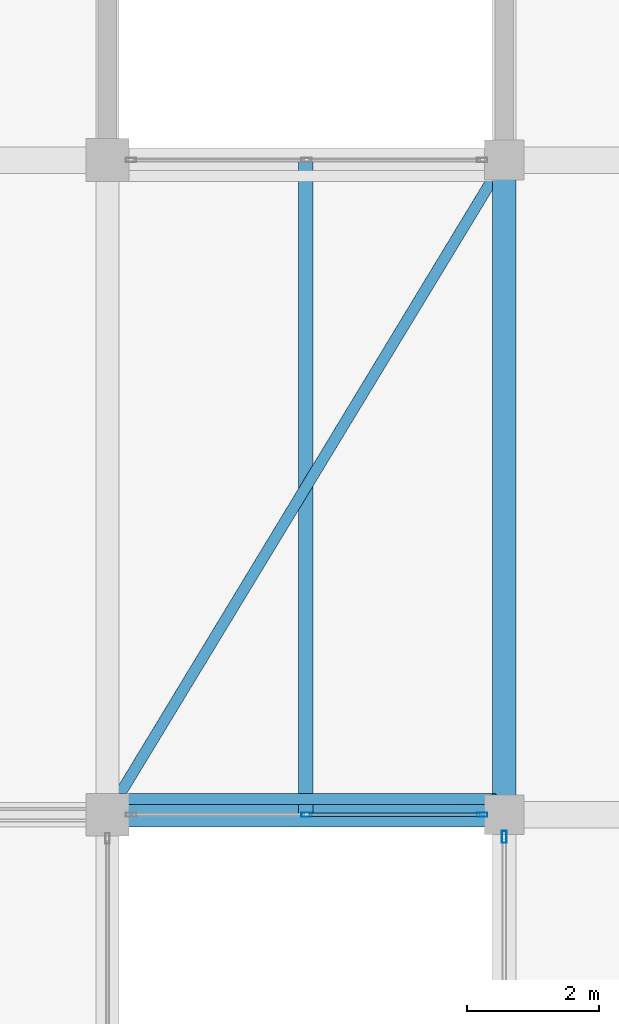
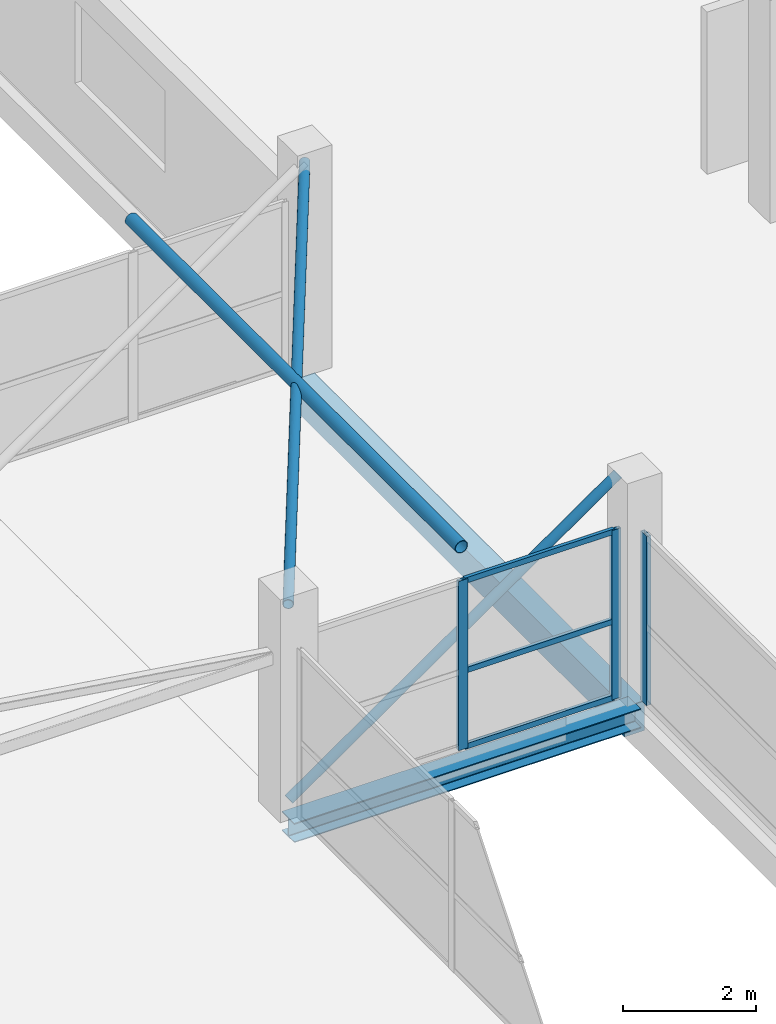
# One storey, part 39 of 66: 9 members, 2 beams, 2 elements without a shape of their own.
"""IFC4 building model written with IfcOpenShell, lengths in metres."""

from ifc_helpers import new_model, si_unit, direction, frame, origin, origin_2d, place, context, subcontext, project, spatial, rectangle, hollow_rectangle, hollow_circle, i_section, extrude, material, layer, layer_set, material_profile, profile_set, type_object, element, aggregate, save


model = new_model("IFC4")

# Units and contexts
model_context = context("Model", 3, precision=1e-05, world=origin(), true_north=direction((0.0, 1.0)))
body_context = subcontext(model_context, "Body", "Model", "MODEL_VIEW")
ifc_project = project(units=[si_unit("LENGTHUNIT", "METRE"), si_unit("AREAUNIT", "SQUARE_METRE"), si_unit("VOLUMEUNIT", "CUBIC_METRE"), si_unit("PLANEANGLEUNIT", "RADIAN"), si_unit("MASSUNIT", "GRAM", prefix="KILO")], contexts=[model_context])

# Site, building, storey
site_placement = place(None, origin())
site = spatial("IfcSite", under=ifc_project, at=site_placement, CompositionType="ELEMENT")
building_placement = place(site_placement, origin())
building = spatial("IfcBuilding", under=site, at=building_placement, Name="Sillaruma Civic Art Gallery", CompositionType="ELEMENT")
storey_placement = place(building_placement, frame((0.0, 0.0, 62.219970703125)))
storey = spatial("IfcBuildingStorey", under=building, at=storey_placement, Name="L12", CompositionType="ELEMENT", Elevation=62.219970703125)

# Beams
ifc_material_1 = material(Name="Structural Steel ASTM A992 Gr.50", Category="steel")
ifc_material_profile_1 = material_profile(ifc_material_1, i_section(OverallWidth=0.368896484375, OverallDepth=0.35595703125, WebThickness=0.01123046875, FlangeThickness=0.01806640625, FilletRadius=0.014892578125, at=origin_2d()), Name="W360x134")
ifc_profile_set_1 = profile_set([ifc_material_profile_1], Name="Structural Steel ASTM A992 Gr.50")
beam_type_1 = type_object("IfcBeamType", Name="BM-BRIDGE-W360x134", PredefinedType="SPANDREL", material=ifc_profile_set_1)
beam_1_placement = place(storey_placement, frame((92.0, 69.300048828125, -0.387939453125), z_axis=(1.0, 0.0, 0.0), x_axis=(0.0, 1.0, 0.0)))
element("IfcBeam", 1, at=beam_1_placement, inside=storey, type_object=beam_type_1, Name="Sky-Bridge Steel Edge Girder (BRG-N:L12:S)", PredefinedType="SPANDREL", context=body_context, shape_type="SweptSolid", body=[
    extrude(i_section(OverallWidth=0.368896484375, OverallDepth=0.35595703125, WebThickness=0.01123046875, FlangeThickness=0.01806640625, FilletRadius=0.014892578125, at=origin_2d()), origin(), (0.0, 0.0, 1.0), 6.0),
])
ifc_material_2 = material(Name="Concrete H35 (35 MPa)", Category="concrete")
ifc_material_profile_2 = material_profile(ifc_material_2, rectangle(XDim=0.35009765625, YDim=0.550048828125, at=origin_2d()), Name="RCB350x550")
ifc_profile_set_2 = profile_set([ifc_material_profile_2], Name="Concrete H35 (35 MPa)")
beam_type_2 = type_object("IfcBeamType", Name="BM-SPANDREL-RCB350x550", PredefinedType="SPANDREL", material=ifc_profile_set_2)
beam_2_placement = place(storey_placement, frame((98.0, 69.300048828125, -0.5048828125), z_axis=(0.0, 1.0, 0.0), x_axis=(-1.0, 0.0, 0.0)))
element("IfcBeam", 2, at=beam_2_placement, inside=storey, type_object=beam_type_2, Name="Beam BS-04 (L11:L:8-9)", PredefinedType="SPANDREL", context=body_context, shape_type="SweptSolid", body=[
    extrude(rectangle(XDim=0.35009765625, YDim=0.550048828125, at=origin_2d()), origin(), (0.0, 0.0, 1.0), 9.89990234375),
])

# Members
ifc_material_3 = material(Name="Structural Steel ASTM A500 Gr.C", Category="steel")
ifc_material_profile_3 = material_profile(ifc_material_3, hollow_circle(Radius=0.084228515625, WallThickness=0.007080078125, at=origin_2d()), Name="CHS168.3x7.1")
ifc_profile_set_3 = profile_set([ifc_material_profile_3], Name="Structural Steel ASTM A500 Gr.C")
member_type_1 = type_object("IfcMemberType", Name="MEM-BRIDGE-BRACE", PredefinedType="BRACE", material=ifc_profile_set_3)
member_1_placement = place(storey_placement, frame((92.14990234375, 69.5400390625, -0.080078125), z_axis=(0.820576982008, 0.0, 0.571536015137), x_axis=(0.0, 1.0, 0.0)))
element("IfcMember", 3, at=member_1_placement, inside=storey, type_object=member_type_1, Name="Sky-Bridge Elevation Truss Web Brace (BRG-N:L12:S)", PredefinedType="BRACE", context=body_context, shape_type="SweptSolid", body=[
    extrude(hollow_circle(Radius=0.084228515625, WallThickness=0.007080078125, at=origin_2d()), origin(), (0.0, 0.0, 1.0), 6.946533203125),
])
member_2_placement = place(storey_placement, frame((92.0, 69.300048828125, 3.692138671875), z_axis=(0.518305455332, 0.855195565337, 0.0), x_axis=(-0.855195565337, 0.518305455332, 0.0)))
element("IfcMember", 4, at=member_2_placement, inside=storey, type_object=member_type_1, Name="Sky-Bridge Diagonal Plan Brace (BRG-N:L13)", PredefinedType="BRACE", context=body_context, shape_type="SweptSolid", body=[
    extrude(hollow_circle(Radius=0.084228515625, WallThickness=0.007080078125, at=origin_2d()), origin(), (0.0, 0.0, 1.0), 11.576171875),
])
ifc_material_profile_4 = material_profile(ifc_material_3, hollow_circle(Radius=0.109619140625, WallThickness=0.00830078125, at=origin_2d()), Name="CHS219.1x8.2")
ifc_profile_set_4 = profile_set([ifc_material_profile_4], Name="Structural Steel ASTM A500 Gr.C")
member_type_2 = type_object("IfcMemberType", Name="MEM-BRIDGE-STRUT", PredefinedType="STRUT", material=ifc_profile_set_4)
member_3_placement = place(storey_placement, frame((95.0, 69.300048828125, 3.692138671875), z_axis=(0.0, 1.0, 0.0), x_axis=(-1.0, 0.0, 0.0)))
element("IfcMember", 5, at=member_3_placement, inside=storey, type_object=member_type_2, Name="Sky-Bridge Transverse Strut (BRG-N:L13)", PredefinedType="STRUT", context=body_context, shape_type="SweptSolid", body=[
    extrude(hollow_circle(Radius=0.109619140625, WallThickness=0.00830078125, at=origin_2d()), origin(), (0.0, 0.0, 1.0), 9.89990234375),
])

# Curtain wall, members
ifc_material_4 = material(Name="Thermally Broken Extruded Aluminium 6063-T6", Category="aluminium")
ifc_layer_1 = layer(ifc_material_4, 0.159912109375, Name="Thermally Broken Extruded Aluminium 6063-T6")
ifc_layer_set_1 = layer_set([ifc_layer_1], Name="Thermally Broken Extruded Aluminium 6063-T6")
curtain_wall_type_1 = type_object("IfcCurtainWallType", Name="CW-UNI-104", PredefinedType="NOTDEFINED", material=ifc_layer_set_1)
curtain_wall_1_placement = place(storey_placement, origin())
curtain_wall_1 = element("IfcCurtainWall", 6, at=curtain_wall_1_placement, inside=storey, type_object=curtain_wall_type_1, Name="Unitised Curtain Wall CW-104 (CW-BRG-N-L12-S)", PredefinedType="NOTDEFINED")
ifc_material_profile_5 = material_profile(ifc_material_4, hollow_rectangle(XDim=0.06494140625, YDim=0.159912109375, WallThickness=0.00390625, at=origin_2d()), Name="CWM65x160")
ifc_profile_set_5 = profile_set([ifc_material_profile_5], Name="Thermally Broken Extruded Aluminium 6063-T6")
member_type_3 = type_object("IfcMemberType", Name="MEM-MUL-CWM65x160", PredefinedType="MULLION", material=ifc_profile_set_5)
member_4_placement = place(storey_placement, frame((95.012451171875, 69.300048828125, 0.0), z_axis=(0.0, 0.0, 1.0), x_axis=(0.0, 1.0, 0.0)))
member_4 = element("IfcMember", 7, at=member_4_placement, type_object=member_type_3, Name="CW-104 mullion 2", PredefinedType="MULLION", context=body_context, shape_type="SweptSolid", body=[
    extrude(hollow_rectangle(XDim=0.06494140625, YDim=0.159912109375, WallThickness=0.00390625, at=origin_2d()), origin(), (0.0, 0.0, 1.0), 3.10009765625),
])
member_5_placement = place(storey_placement, frame((97.66748046875, 69.300048828125, 0.0), z_axis=(0.0, 0.0, 1.0), x_axis=(0.0, 1.0, 0.0)))
member_5 = element("IfcMember", 8, at=member_5_placement, type_object=member_type_3, Name="CW-104 mullion 3", PredefinedType="MULLION", context=body_context, shape_type="SweptSolid", body=[
    extrude(hollow_rectangle(XDim=0.06494140625, YDim=0.159912109375, WallThickness=0.00390625, at=origin_2d()), origin(), (0.0, 0.0, 1.0), 3.10009765625),
])

# Curtain wall, member
ifc_layer_2 = layer(ifc_material_4, 0.179931640625, Name="Thermally Broken Extruded Aluminium 6063-T6")
ifc_layer_set_2 = layer_set([ifc_layer_2], Name="Thermally Broken Extruded Aluminium 6063-T6")
curtain_wall_type_2 = type_object("IfcCurtainWallType", Name="CW-UNI-100", PredefinedType="NOTDEFINED", material=ifc_layer_set_2)
curtain_wall_2_placement = place(storey_placement, origin())
curtain_wall_2 = element("IfcCurtainWall", 9, at=curtain_wall_2_placement, inside=storey, type_object=curtain_wall_type_2, Name="Unitised Curtain Wall CW-100 (CW-L12-EBW-5)", PredefinedType="NOTDEFINED")
ifc_material_profile_6 = material_profile(ifc_material_4, hollow_rectangle(XDim=0.070068359375, YDim=0.179931640625, WallThickness=0.00390625, at=origin_2d()), Name="CWM70x180")
ifc_profile_set_6 = profile_set([ifc_material_profile_6], Name="Thermally Broken Extruded Aluminium 6063-T6")
member_type_4 = type_object("IfcMemberType", Name="MEM-MUL-CWM70x180", PredefinedType="MULLION", material=ifc_profile_set_6)
member_6_placement = place(storey_placement, frame((98.0, 68.965087890625, 0.0), z_axis=(0.0, 0.0, 1.0), x_axis=(-1.0, 0.0, 0.0)))
member_6 = element("IfcMember", 10, at=member_6_placement, type_object=member_type_4, Name="CW-100 mullion 3", PredefinedType="MULLION", context=body_context, shape_type="SweptSolid", body=[
    extrude(hollow_rectangle(XDim=0.070068359375, YDim=0.179931640625, WallThickness=0.00390625, at=origin_2d()), origin(), (0.0, 0.0, 1.0), 3.10009765625),
])
aggregate(curtain_wall_2, [member_6])

# Member
ifc_material_profile_7 = material_profile(ifc_material_4, hollow_rectangle(XDim=0.06005859375, YDim=0.10009765625, WallThickness=0.003173828125, at=origin_2d()), Name="CWT60x100")
ifc_profile_set_7 = profile_set([ifc_material_profile_7], Name="Thermally Broken Extruded Aluminium 6063-T6")
member_type_5 = type_object("IfcMemberType", Name="MEM-TRN-CWT60x100", PredefinedType="USERDEFINED", material=ifc_profile_set_7)
member_7_placement = place(storey_placement, frame((95.044921875, 69.300048828125, 0.030029296875), z_axis=(1.0, 0.0, 0.0), x_axis=(0.0, 1.0, 0.0)))
member_7 = element("IfcMember", 11, at=member_7_placement, type_object=member_type_5, Name="CW-104 transom 2.1", ObjectType="TRANSOM", PredefinedType="USERDEFINED", context=body_context, shape_type="SweptSolid", body=[
    extrude(hollow_rectangle(XDim=0.06005859375, YDim=0.10009765625, WallThickness=0.003173828125, at=origin_2d()), origin(), (0.0, 0.0, 1.0), 2.590087890625),
])

member_8_placement = place(storey_placement, frame((95.044921875, 69.300048828125, 1.426025390625), z_axis=(1.0, 0.0, 0.0), x_axis=(0.0, 1.0, 0.0)))
member_8 = element("IfcMember", 12, at=member_8_placement, type_object=member_type_5, Name="CW-104 transom 2.2", ObjectType="TRANSOM", PredefinedType="USERDEFINED", context=body_context, shape_type="SweptSolid", body=[
    extrude(hollow_rectangle(XDim=0.06005859375, YDim=0.10009765625, WallThickness=0.003173828125, at=origin_2d()), origin(), (0.0, 0.0, 1.0), 2.590087890625),
])

member_9_placement = place(storey_placement, frame((95.044921875, 69.300048828125, 3.070068359375), z_axis=(1.0, 0.0, 0.0), x_axis=(0.0, 1.0, 0.0)))
member_9 = element("IfcMember", 13, at=member_9_placement, type_object=member_type_5, Name="CW-104 transom 2.3", ObjectType="TRANSOM", PredefinedType="USERDEFINED", context=body_context, shape_type="SweptSolid", body=[
    extrude(hollow_rectangle(XDim=0.06005859375, YDim=0.10009765625, WallThickness=0.003173828125, at=origin_2d()), origin(), (0.0, 0.0, 1.0), 2.590087890625),
])

aggregate(curtain_wall_1, [member_4, member_5, member_7, member_8, member_9])

save(model, "model.ifc")
